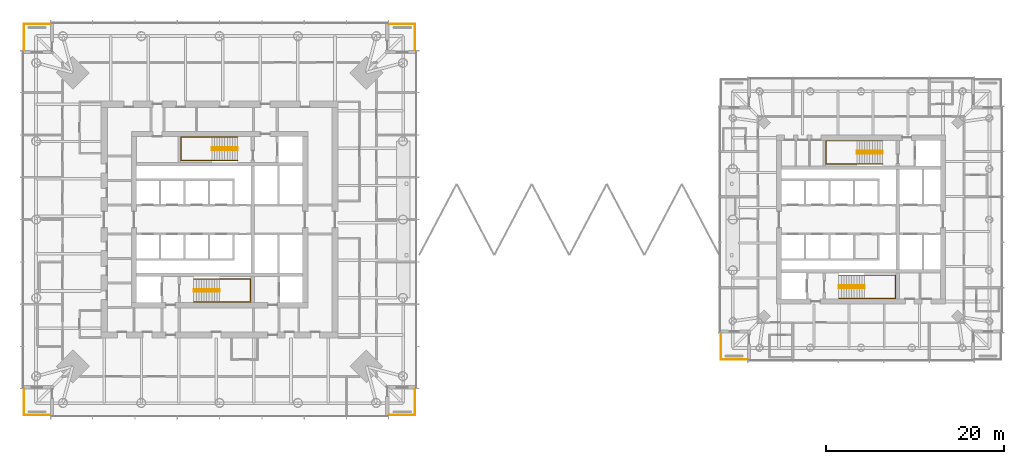
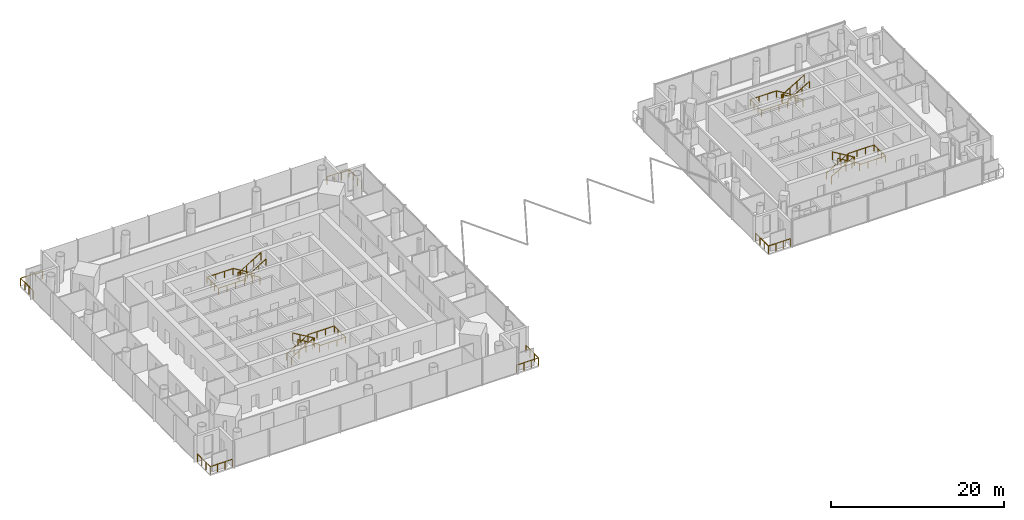
# One storey, part 18 of 19: 13 railings.
"""IFC4 building model written with IfcOpenShell, lengths in metres."""

from ifc_helpers import new_model, si_unit, direction, frame, origin, origin_2d, place, context, subcontext, project, spatial, circle, extrude, material, type_object, element, save


model = new_model("IFC4")

# Units and contexts
model_context = context("Model", 3, precision=1e-05, world=origin(), true_north=direction((0.0, 1.0)))
body_context = subcontext(model_context, "Body", "Model", "MODEL_VIEW")
ifc_project = project(units=[si_unit("LENGTHUNIT", "METRE"), si_unit("AREAUNIT", "SQUARE_METRE"), si_unit("VOLUMEUNIT", "CUBIC_METRE"), si_unit("PLANEANGLEUNIT", "RADIAN"), si_unit("MASSUNIT", "GRAM", prefix="KILO")], contexts=[model_context])

# Site, building, storey
site_placement = place(None, origin())
site = spatial("IfcSite", under=ifc_project, at=site_placement, CompositionType="ELEMENT")
building_placement = place(site_placement, origin())
building = spatial("IfcBuilding", under=site, at=building_placement, Name="Ostroluk Exchange", CompositionType="ELEMENT")
storey_placement = place(building_placement, frame((0.0, 0.0, 127.39990234375)))
storey = spatial("IfcBuildingStorey", under=building, at=storey_placement, Name="L32", CompositionType="ELEMENT", Elevation=127.39990234375)

# Railings
ifc_material_1 = material(Name="Stainless steel", Category="steel")
railing_type_1 = type_object("IfcRailingType", Name="Guard 1100 stainless steel", PredefinedType="GUARDRAIL", material=ifc_material_1)
railing_1_placement = place(storey_placement, frame((64.0, 24.050048828125, 0.0)))
element("IfcRailing", 1, at=railing_1_placement, inside=storey, type_object=railing_type_1, Name="Office tower SE balcony guard L32", PredefinedType="GUARDRAIL", context=body_context, shape_type="SweptSolid", body=[
    extrude(circle(Radius=0.02392578125, at=origin_2d()), frame((0.0, 0.0, 1.076171875), z_axis=(1.0, 0.0, 0.0), x_axis=(0.0, 1.0, 0.0)), (0.0, 0.0, 1.0), 2.949951171875),
    extrude(circle(Radius=0.02392578125, at=origin_2d()), frame((2.949951171875, 0.0, 1.076171875), z_axis=(0.0, 1.0, 0.0), x_axis=(-1.0, 0.0, 0.0)), (0.0, 0.0, 1.0), 2.949951171875),
    extrude(circle(Radius=0.02099609375, at=origin_2d()), origin(), (0.0, 0.0, 1.0), 1.052001953125),
    extrude(circle(Radius=0.02099609375, at=origin_2d()), frame((0.9833984375, 0.0, 0.0)), (0.0, 0.0, 1.0), 1.052001953125),
    extrude(circle(Radius=0.02099609375, at=origin_2d()), frame((1.966552734375, 0.0, 0.0)), (0.0, 0.0, 1.0), 1.052001953125),
    extrude(circle(Radius=0.02099609375, at=origin_2d()), frame((2.949951171875, 0.0, 0.0)), (0.0, 0.0, 1.0), 1.052001953125),
    extrude(circle(Radius=0.02099609375, at=origin_2d()), frame((2.949951171875, 0.9833984375, 0.0)), (0.0, 0.0, 1.0), 1.052001953125),
    extrude(circle(Radius=0.02099609375, at=origin_2d()), frame((2.949951171875, 1.966552734375, 0.0)), (0.0, 0.0, 1.0), 1.052001953125),
    extrude(circle(Radius=0.02099609375, at=origin_2d()), frame((2.949951171875, 2.949951171875, 0.0)), (0.0, 0.0, 1.0), 1.052001953125),
])
railing_2_placement = place(storey_placement, frame((64.0, 67.949951171875, 0.0)))
element("IfcRailing", 2, at=railing_2_placement, inside=storey, type_object=railing_type_1, Name="Office tower NE balcony guard L32", PredefinedType="GUARDRAIL", context=body_context, shape_type="SweptSolid", body=[
    extrude(circle(Radius=0.02392578125, at=origin_2d()), frame((0.0, 0.0, 1.076171875), z_axis=(1.0, 0.0, 0.0), x_axis=(0.0, 1.0, 0.0)), (0.0, 0.0, 1.0), 2.949951171875),
    extrude(circle(Radius=0.02392578125, at=origin_2d()), frame((2.949951171875, 0.0, 1.076171875), z_axis=(0.0, -1.0, 0.0), x_axis=(1.0, 0.0, 0.0)), (0.0, 0.0, 1.0), 2.949951171875),
    extrude(circle(Radius=0.02099609375, at=origin_2d()), origin(), (0.0, 0.0, 1.0), 1.052001953125),
    extrude(circle(Radius=0.02099609375, at=origin_2d()), frame((0.9833984375, 0.0, 0.0)), (0.0, 0.0, 1.0), 1.052001953125),
    extrude(circle(Radius=0.02099609375, at=origin_2d()), frame((1.966552734375, 0.0, 0.0)), (0.0, 0.0, 1.0), 1.052001953125),
    extrude(circle(Radius=0.02099609375, at=origin_2d()), frame((2.949951171875, 0.0, 0.0)), (0.0, 0.0, 1.0), 1.052001953125),
    extrude(circle(Radius=0.02099609375, at=origin_2d()), frame((2.949951171875, -0.9833984375, 0.0)), (0.0, 0.0, 1.0), 1.052001953125),
    extrude(circle(Radius=0.02099609375, at=origin_2d()), frame((2.949951171875, -1.966552734375, 0.0)), (0.0, 0.0, 1.0), 1.052001953125),
    extrude(circle(Radius=0.02099609375, at=origin_2d()), frame((2.949951171875, -2.949951171875, 0.0)), (0.0, 0.0, 1.0), 1.052001953125),
])
railing_3_placement = place(storey_placement, frame((26.0, 67.949951171875, 0.0)))
element("IfcRailing", 3, at=railing_3_placement, inside=storey, type_object=railing_type_1, Name="Office tower NW balcony guard L32", PredefinedType="GUARDRAIL", context=body_context, shape_type="SweptSolid", body=[
    extrude(circle(Radius=0.02392578125, at=origin_2d()), frame((0.0, 0.0, 1.076171875), z_axis=(-1.0, 0.0, 0.0), x_axis=(0.0, -1.0, 0.0)), (0.0, 0.0, 1.0), 2.949951171875),
    extrude(circle(Radius=0.02392578125, at=origin_2d()), frame((-2.949951171875, 0.0, 1.076171875), z_axis=(0.0, -1.0, 0.0), x_axis=(1.0, 0.0, 0.0)), (0.0, 0.0, 1.0), 2.949951171875),
    extrude(circle(Radius=0.02099609375, at=origin_2d()), origin(), (0.0, 0.0, 1.0), 1.052001953125),
    extrude(circle(Radius=0.02099609375, at=origin_2d()), frame((-0.9833984375, 0.0, 0.0)), (0.0, 0.0, 1.0), 1.052001953125),
    extrude(circle(Radius=0.02099609375, at=origin_2d()), frame((-1.966552734375, 0.0, 0.0)), (0.0, 0.0, 1.0), 1.052001953125),
    extrude(circle(Radius=0.02099609375, at=origin_2d()), frame((-2.949951171875, 0.0, 0.0)), (0.0, 0.0, 1.0), 1.052001953125),
    extrude(circle(Radius=0.02099609375, at=origin_2d()), frame((-2.949951171875, -0.9833984375, 0.0)), (0.0, 0.0, 1.0), 1.052001953125),
    extrude(circle(Radius=0.02099609375, at=origin_2d()), frame((-2.949951171875, -1.966552734375, 0.0)), (0.0, 0.0, 1.0), 1.052001953125),
    extrude(circle(Radius=0.02099609375, at=origin_2d()), frame((-2.949951171875, -2.949951171875, 0.0)), (0.0, 0.0, 1.0), 1.052001953125),
])
for number, where, name in (
    (4, (26.0, 24.050048828125, 0.0), "Office tower SW balcony guard L32"),
    (5, (104.25, 30.300048828125, 0.0), "Hotel tower SW balcony guard L32"),
):
    element("IfcRailing", number, at=place(storey_placement, frame(where)), inside=storey, type_object=railing_type_1, Name=name, PredefinedType="GUARDRAIL", context=body_context, shape_type="SweptSolid", body=[
        extrude(circle(Radius=0.02392578125, at=origin_2d()), frame((0.0, 0.0, 1.076171875), z_axis=(-1.0, 0.0, 0.0), x_axis=(0.0, -1.0, 0.0)), (0.0, 0.0, 1.0), 2.949951171875),
        extrude(circle(Radius=0.02392578125, at=origin_2d()), frame((-2.949951171875, 0.0, 1.076171875), z_axis=(0.0, 1.0, 0.0), x_axis=(-1.0, 0.0, 0.0)), (0.0, 0.0, 1.0), 2.949951171875),
        extrude(circle(Radius=0.02099609375, at=origin_2d()), origin(), (0.0, 0.0, 1.0), 1.052001953125),
        extrude(circle(Radius=0.02099609375, at=origin_2d()), frame((-0.9833984375, 0.0, 0.0)), (0.0, 0.0, 1.0), 1.052001953125),
        extrude(circle(Radius=0.02099609375, at=origin_2d()), frame((-1.966552734375, 0.0, 0.0)), (0.0, 0.0, 1.0), 1.052001953125),
        extrude(circle(Radius=0.02099609375, at=origin_2d()), frame((-2.949951171875, 0.0, 0.0)), (0.0, 0.0, 1.0), 1.052001953125),
        extrude(circle(Radius=0.02099609375, at=origin_2d()), frame((-2.949951171875, 0.9833984375, 0.0)), (0.0, 0.0, 1.0), 1.052001953125),
        extrude(circle(Radius=0.02099609375, at=origin_2d()), frame((-2.949951171875, 1.966552734375, 0.0)), (0.0, 0.0, 1.0), 1.052001953125),
        extrude(circle(Radius=0.02099609375, at=origin_2d()), frame((-2.949951171875, 2.949951171875, 0.0)), (0.0, 0.0, 1.0), 1.052001953125),
    ])
ifc_material_2 = material(Name="Steel S355", Category="steel")
railing_type_2 = type_object("IfcRailingType", Name="Stair guard 1100", PredefinedType="GUARDRAIL", material=ifc_material_2)
railing_4_placement = place(storey_placement, frame((42.10009765625, 38.179931640625, 0.1728515625)))
element("IfcRailing", 6, at=railing_4_placement, inside=storey, type_object=railing_type_2, Name="Stair T1-S1 guard L32", PredefinedType="GUARDRAIL", context=body_context, shape_type="SweptSolid", body=[
    extrude(circle(Radius=0.02392578125, at=origin_2d()), frame((0.0, 0.0, 1.076171875), z_axis=(0.859141464434, 0.0, 0.511738159696), x_axis=(0.0, 1.0, 0.0)), (0.0, 0.0, 1.0), 3.375244140625),
    extrude(circle(Radius=0.02392578125, at=origin_2d()), frame((2.89990234375, 0.0, 2.80322265625), z_axis=(0.0, -1.0, 0.0), x_axis=(1.0, 0.0, 0.0)), (0.0, 0.0, 1.0), 0.260009765625),
    extrude(circle(Radius=0.02392578125, at=origin_2d()), frame((2.89990234375, -0.260009765625, 2.80322265625), z_axis=(0.0, 0.0, 1.0), x_axis=(1.0, 0.0, 0.0)), (0.0, 0.0, 1.0), 0.172607421875),
    extrude(circle(Radius=0.02392578125, at=origin_2d()), frame((2.89990234375, -0.260009765625, 2.97607421875), z_axis=(-0.859141464434, 0.0, 0.511738159696), x_axis=(0.0, -1.0, 0.0)), (0.0, 0.0, 1.0), 3.375244140625),
    extrude(circle(Radius=0.02099609375, at=origin_2d()), origin(), (0.0, 0.0, 1.0), 1.052001953125),
    extrude(circle(Radius=0.02099609375, at=origin_2d()), frame((0.966552734375, 0.0, 0.57568359375)), (0.0, 0.0, 1.0), 1.052001953125),
    extrude(circle(Radius=0.02099609375, at=origin_2d()), frame((1.933349609375, 0.0, 1.151611328125)), (0.0, 0.0, 1.0), 1.052001953125),
    extrude(circle(Radius=0.02099609375, at=origin_2d()), frame((2.89990234375, 0.0, 1.727294921875)), (0.0, 0.0, 1.0), 1.052001953125),
    extrude(circle(Radius=0.02099609375, at=origin_2d()), frame((2.89990234375, -0.260009765625, 1.727294921875)), (0.0, 0.0, 1.0), 1.052001953125),
    extrude(circle(Radius=0.02099609375, at=origin_2d()), frame((2.89990234375, -0.260009765625, 1.89990234375)), (0.0, 0.0, 1.0), 1.052001953125),
    extrude(circle(Radius=0.02099609375, at=origin_2d()), frame((1.933349609375, -0.260009765625, 2.4755859375)), (0.0, 0.0, 1.0), 1.052001953125),
    extrude(circle(Radius=0.02099609375, at=origin_2d()), frame((0.966552734375, -0.260009765625, 3.051513671875)), (0.0, 0.0, 1.0), 1.052001953125),
    extrude(circle(Radius=0.02099609375, at=origin_2d()), frame((0.0, -0.260009765625, 3.627197265625)), (0.0, 0.0, 1.0), 1.052001953125),
])
railing_5_placement = place(storey_placement, frame((47.030029296875, 54.080078125, 0.1728515625)))
element("IfcRailing", 7, at=railing_5_placement, inside=storey, type_object=railing_type_2, Name="Stair T1-S2 guard L32", PredefinedType="GUARDRAIL", context=body_context, shape_type="SweptSolid", body=[
    extrude(circle(Radius=0.02392578125, at=origin_2d()), frame((0.0, 0.0, 1.076171875), z_axis=(-0.859160404282, 0.0, 0.51170636083), x_axis=(0.0, -1.0, 0.0)), (0.0, 0.0, 1.0), 3.37548828125),
    extrude(circle(Radius=0.02392578125, at=origin_2d()), frame((-2.900146484375, 0.0, 2.80322265625), z_axis=(0.0, -1.0, 0.0), x_axis=(1.0, 0.0, 0.0)), (0.0, 0.0, 1.0), 0.260009765625),
    extrude(circle(Radius=0.02392578125, at=origin_2d()), frame((-2.900146484375, -0.260009765625, 2.80322265625), z_axis=(0.0, 0.0, 1.0), x_axis=(1.0, 0.0, 0.0)), (0.0, 0.0, 1.0), 0.172607421875),
    extrude(circle(Radius=0.02392578125, at=origin_2d()), frame((-2.900146484375, -0.260009765625, 2.97607421875), z_axis=(0.859160404282, 0.0, 0.51170636083), x_axis=(0.0, 1.0, 0.0)), (0.0, 0.0, 1.0), 3.37548828125),
    extrude(circle(Radius=0.02099609375, at=origin_2d()), origin(), (0.0, 0.0, 1.0), 1.052001953125),
    extrude(circle(Radius=0.02099609375, at=origin_2d()), frame((-0.966796875, 0.0, 0.57568359375)), (0.0, 0.0, 1.0), 1.052001953125),
    extrude(circle(Radius=0.02099609375, at=origin_2d()), frame((-1.933349609375, 0.0, 1.151611328125)), (0.0, 0.0, 1.0), 1.052001953125),
    extrude(circle(Radius=0.02099609375, at=origin_2d()), frame((-2.900146484375, 0.0, 1.727294921875)), (0.0, 0.0, 1.0), 1.052001953125),
    extrude(circle(Radius=0.02099609375, at=origin_2d()), frame((-2.900146484375, -0.260009765625, 1.727294921875)), (0.0, 0.0, 1.0), 1.052001953125),
    extrude(circle(Radius=0.02099609375, at=origin_2d()), frame((-2.900146484375, -0.260009765625, 1.89990234375)), (0.0, 0.0, 1.0), 1.052001953125),
    extrude(circle(Radius=0.02099609375, at=origin_2d()), frame((-1.933349609375, -0.260009765625, 2.4755859375)), (0.0, 0.0, 1.0), 1.052001953125),
    extrude(circle(Radius=0.02099609375, at=origin_2d()), frame((-0.966796875, -0.260009765625, 3.051513671875)), (0.0, 0.0, 1.0), 1.052001953125),
    extrude(circle(Radius=0.02099609375, at=origin_2d()), frame((0.0, -0.260009765625, 3.627197265625)), (0.0, 0.0, 1.0), 1.052001953125),
])
railing_6_placement = place(storey_placement, frame((114.5, 38.580078125, 0.1728515625)))
element("IfcRailing", 8, at=railing_6_placement, inside=storey, type_object=railing_type_2, Name="Stair T2-S1 guard L32", PredefinedType="GUARDRAIL", context=body_context, shape_type="SweptSolid", body=[
    extrude(circle(Radius=0.02392578125, at=origin_2d()), frame((0.0, 0.0, 1.076171875), z_axis=(0.859141464434, 0.0, 0.511738159696), x_axis=(0.0, 1.0, 0.0)), (0.0, 0.0, 1.0), 3.375244140625),
    extrude(circle(Radius=0.02392578125, at=origin_2d()), frame((2.89990234375, 0.0, 2.80322265625), z_axis=(0.0, -1.0, 0.0), x_axis=(1.0, 0.0, 0.0)), (0.0, 0.0, 1.0), 0.260009765625),
    extrude(circle(Radius=0.02392578125, at=origin_2d()), frame((2.89990234375, -0.260009765625, 2.80322265625), z_axis=(0.0, 0.0, 1.0), x_axis=(1.0, 0.0, 0.0)), (0.0, 0.0, 1.0), 0.172607421875),
    extrude(circle(Radius=0.02392578125, at=origin_2d()), frame((2.89990234375, -0.260009765625, 2.97607421875), z_axis=(-0.859141464434, 0.0, 0.511738159696), x_axis=(0.0, -1.0, 0.0)), (0.0, 0.0, 1.0), 3.375244140625),
    extrude(circle(Radius=0.02099609375, at=origin_2d()), origin(), (0.0, 0.0, 1.0), 1.052001953125),
    extrude(circle(Radius=0.02099609375, at=origin_2d()), frame((0.966552734375, 0.0, 0.57568359375)), (0.0, 0.0, 1.0), 1.052001953125),
    extrude(circle(Radius=0.02099609375, at=origin_2d()), frame((1.933349609375, 0.0, 1.151611328125)), (0.0, 0.0, 1.0), 1.052001953125),
    extrude(circle(Radius=0.02099609375, at=origin_2d()), frame((2.89990234375, 0.0, 1.727294921875)), (0.0, 0.0, 1.0), 1.052001953125),
    extrude(circle(Radius=0.02099609375, at=origin_2d()), frame((2.89990234375, -0.260009765625, 1.727294921875)), (0.0, 0.0, 1.0), 1.052001953125),
    extrude(circle(Radius=0.02099609375, at=origin_2d()), frame((2.89990234375, -0.260009765625, 1.89990234375)), (0.0, 0.0, 1.0), 1.052001953125),
    extrude(circle(Radius=0.02099609375, at=origin_2d()), frame((1.933349609375, -0.260009765625, 2.4755859375)), (0.0, 0.0, 1.0), 1.052001953125),
    extrude(circle(Radius=0.02099609375, at=origin_2d()), frame((0.966552734375, -0.260009765625, 3.051513671875)), (0.0, 0.0, 1.0), 1.052001953125),
    extrude(circle(Radius=0.02099609375, at=origin_2d()), frame((0.0, -0.260009765625, 3.627197265625)), (0.0, 0.0, 1.0), 1.052001953125),
])
railing_7_placement = place(storey_placement, frame((119.429931640625, 53.679931640625, 0.1728515625)))
element("IfcRailing", 9, at=railing_7_placement, inside=storey, type_object=railing_type_2, Name="Stair T2-S2 guard L32", PredefinedType="GUARDRAIL", context=body_context, shape_type="SweptSolid", body=[
    extrude(circle(Radius=0.02392578125, at=origin_2d()), frame((0.0, 0.0, 1.076171875), z_axis=(-0.859141464434, 0.0, 0.511738159696), x_axis=(0.0, -1.0, 0.0)), (0.0, 0.0, 1.0), 3.375244140625),
    extrude(circle(Radius=0.02392578125, at=origin_2d()), frame((-2.89990234375, 0.0, 2.80322265625), z_axis=(0.0, -1.0, 0.0), x_axis=(1.0, 0.0, 0.0)), (0.0, 0.0, 1.0), 0.260009765625),
    extrude(circle(Radius=0.02392578125, at=origin_2d()), frame((-2.89990234375, -0.260009765625, 2.80322265625), z_axis=(0.0, 0.0, 1.0), x_axis=(1.0, 0.0, 0.0)), (0.0, 0.0, 1.0), 0.172607421875),
    extrude(circle(Radius=0.02392578125, at=origin_2d()), frame((-2.89990234375, -0.260009765625, 2.97607421875), z_axis=(0.859141464434, 0.0, 0.511738159696), x_axis=(0.0, 1.0, 0.0)), (0.0, 0.0, 1.0), 3.375244140625),
    extrude(circle(Radius=0.02099609375, at=origin_2d()), origin(), (0.0, 0.0, 1.0), 1.052001953125),
    extrude(circle(Radius=0.02099609375, at=origin_2d()), frame((-0.966552734375, 0.0, 0.57568359375)), (0.0, 0.0, 1.0), 1.052001953125),
    extrude(circle(Radius=0.02099609375, at=origin_2d()), frame((-1.933349609375, 0.0, 1.151611328125)), (0.0, 0.0, 1.0), 1.052001953125),
    extrude(circle(Radius=0.02099609375, at=origin_2d()), frame((-2.89990234375, 0.0, 1.727294921875)), (0.0, 0.0, 1.0), 1.052001953125),
    extrude(circle(Radius=0.02099609375, at=origin_2d()), frame((-2.89990234375, -0.260009765625, 1.727294921875)), (0.0, 0.0, 1.0), 1.052001953125),
    extrude(circle(Radius=0.02099609375, at=origin_2d()), frame((-2.89990234375, -0.260009765625, 1.89990234375)), (0.0, 0.0, 1.0), 1.052001953125),
    extrude(circle(Radius=0.02099609375, at=origin_2d()), frame((-1.933349609375, -0.260009765625, 2.4755859375)), (0.0, 0.0, 1.0), 1.052001953125),
    extrude(circle(Radius=0.02099609375, at=origin_2d()), frame((-0.966552734375, -0.260009765625, 3.051513671875)), (0.0, 0.0, 1.0), 1.052001953125),
    extrude(circle(Radius=0.02099609375, at=origin_2d()), frame((0.0, -0.260009765625, 3.627197265625)), (0.0, 0.0, 1.0), 1.052001953125),
])
ifc_material_3 = material(Name="Stainless steel", Category="steel")
railing_type_3 = type_object("IfcRailingType", Name="Stair handrail 900", PredefinedType="HANDRAIL", material=ifc_material_3)
railing_8_placement = place(storey_placement, frame((42.10009765625, 39.35009765625, 0.1728515625)))
element("IfcRailing", 10, at=railing_8_placement, inside=storey, type_object=railing_type_3, Name="Stair T1-S1 handrail L32", PredefinedType="HANDRAIL", context=body_context, shape_type="SweptSolid", body=[
    extrude(circle(Radius=0.02392578125, at=origin_2d()), frame((0.0, 0.0, 0.8759765625), z_axis=(0.859141464434, 0.0, 0.511738159696), x_axis=(0.0, 1.0, 0.0)), (0.0, 0.0, 1.0), 3.375244140625),
    extrude(circle(Radius=0.02392578125, at=origin_2d()), frame((2.89990234375, 0.0, 2.60302734375), z_axis=(1.0, 0.0, 0.0), x_axis=(0.0, 1.0, 0.0)), (0.0, 0.0, 1.0), 3.47998046875),
    extrude(circle(Radius=0.02392578125, at=origin_2d()), frame((6.3798828125, 0.0, 2.60302734375), z_axis=(0.0, -1.0, 0.0), x_axis=(1.0, 0.0, 0.0)), (0.0, 0.0, 1.0), 2.60009765625),
    extrude(circle(Radius=0.02392578125, at=origin_2d()), frame((6.3798828125, -2.60009765625, 2.60302734375), z_axis=(-1.0, 0.0, 0.0), x_axis=(0.0, -1.0, 0.0)), (0.0, 0.0, 1.0), 3.47998046875),
    extrude(circle(Radius=0.02392578125, at=origin_2d()), frame((2.89990234375, -2.60009765625, 2.60302734375), z_axis=(0.0, 0.0, 1.0), x_axis=(1.0, 0.0, 0.0)), (0.0, 0.0, 1.0), 0.172607421875),
    extrude(circle(Radius=0.02392578125, at=origin_2d()), frame((2.89990234375, -2.60009765625, 2.77587890625), z_axis=(-0.859141464434, 0.0, 0.511738159696), x_axis=(0.0, -1.0, 0.0)), (0.0, 0.0, 1.0), 3.375244140625),
    extrude(circle(Radius=0.02099609375, at=origin_2d()), origin(), (0.0, 0.0, 1.0), 0.851806640625),
    extrude(circle(Radius=0.02099609375, at=origin_2d()), frame((0.966552734375, 0.0, 0.57568359375)), (0.0, 0.0, 1.0), 0.851806640625),
    extrude(circle(Radius=0.02099609375, at=origin_2d()), frame((1.933349609375, 0.0, 1.151611328125)), (0.0, 0.0, 1.0), 0.851806640625),
    extrude(circle(Radius=0.02099609375, at=origin_2d()), frame((2.89990234375, 0.0, 1.727294921875)), (0.0, 0.0, 1.0), 0.851806640625),
    extrude(circle(Radius=0.02099609375, at=origin_2d()), frame((4.059814453125, 0.0, 1.727294921875)), (0.0, 0.0, 1.0), 0.851806640625),
    extrude(circle(Radius=0.02099609375, at=origin_2d()), frame((5.219970703125, 0.0, 1.727294921875)), (0.0, 0.0, 1.0), 0.851806640625),
    extrude(circle(Radius=0.02099609375, at=origin_2d()), frame((6.3798828125, 0.0, 1.727294921875)), (0.0, 0.0, 1.0), 0.851806640625),
    extrude(circle(Radius=0.02099609375, at=origin_2d()), frame((6.3798828125, -0.86669921875, 1.727294921875)), (0.0, 0.0, 1.0), 0.851806640625),
    extrude(circle(Radius=0.02099609375, at=origin_2d()), frame((6.3798828125, -1.7333984375, 1.727294921875)), (0.0, 0.0, 1.0), 0.851806640625),
    extrude(circle(Radius=0.02099609375, at=origin_2d()), frame((6.3798828125, -2.60009765625, 1.727294921875)), (0.0, 0.0, 1.0), 0.851806640625),
    extrude(circle(Radius=0.02099609375, at=origin_2d()), frame((5.219970703125, -2.60009765625, 1.727294921875)), (0.0, 0.0, 1.0), 0.851806640625),
    extrude(circle(Radius=0.02099609375, at=origin_2d()), frame((4.059814453125, -2.60009765625, 1.727294921875)), (0.0, 0.0, 1.0), 0.851806640625),
    extrude(circle(Radius=0.02099609375, at=origin_2d()), frame((2.89990234375, -2.60009765625, 1.727294921875)), (0.0, 0.0, 1.0), 0.851806640625),
    extrude(circle(Radius=0.02099609375, at=origin_2d()), frame((2.89990234375, -2.60009765625, 1.89990234375)), (0.0, 0.0, 1.0), 0.851806640625),
    extrude(circle(Radius=0.02099609375, at=origin_2d()), frame((1.933349609375, -2.60009765625, 2.4755859375)), (0.0, 0.0, 1.0), 0.851806640625),
    extrude(circle(Radius=0.02099609375, at=origin_2d()), frame((0.966552734375, -2.60009765625, 3.051513671875)), (0.0, 0.0, 1.0), 0.851806640625),
    extrude(circle(Radius=0.02099609375, at=origin_2d()), frame((0.0, -2.60009765625, 3.627197265625)), (0.0, 0.0, 1.0), 0.851806640625),
])
railing_9_placement = place(storey_placement, frame((47.030029296875, 55.25, 0.1728515625)))
element("IfcRailing", 11, at=railing_9_placement, inside=storey, type_object=railing_type_3, Name="Stair T1-S2 handrail L32", PredefinedType="HANDRAIL", context=body_context, shape_type="SweptSolid", body=[
    extrude(circle(Radius=0.02392578125, at=origin_2d()), frame((0.0, 0.0, 0.8759765625), z_axis=(-0.859160404282, 0.0, 0.51170636083), x_axis=(0.0, -1.0, 0.0)), (0.0, 0.0, 1.0), 3.37548828125),
    extrude(circle(Radius=0.02392578125, at=origin_2d()), frame((-2.900146484375, 0.0, 2.60302734375), z_axis=(-1.0, 0.0, 0.0), x_axis=(0.0, -1.0, 0.0)), (0.0, 0.0, 1.0), 3.47998046875),
    extrude(circle(Radius=0.02392578125, at=origin_2d()), frame((-6.380126953125, 0.0, 2.60302734375), z_axis=(0.0, -1.0, 0.0), x_axis=(1.0, 0.0, 0.0)), (0.0, 0.0, 1.0), 2.60009765625),
    extrude(circle(Radius=0.02392578125, at=origin_2d()), frame((-6.380126953125, -2.60009765625, 2.60302734375), z_axis=(1.0, 0.0, 0.0), x_axis=(0.0, 1.0, 0.0)), (0.0, 0.0, 1.0), 3.47998046875),
    extrude(circle(Radius=0.02392578125, at=origin_2d()), frame((-2.900146484375, -2.60009765625, 2.60302734375), z_axis=(0.0, 0.0, 1.0), x_axis=(1.0, 0.0, 0.0)), (0.0, 0.0, 1.0), 0.172607421875),
    extrude(circle(Radius=0.02392578125, at=origin_2d()), frame((-2.900146484375, -2.60009765625, 2.77587890625), z_axis=(0.859160404282, 0.0, 0.51170636083), x_axis=(0.0, 1.0, 0.0)), (0.0, 0.0, 1.0), 3.37548828125),
    extrude(circle(Radius=0.02099609375, at=origin_2d()), origin(), (0.0, 0.0, 1.0), 0.851806640625),
    extrude(circle(Radius=0.02099609375, at=origin_2d()), frame((-0.966796875, 0.0, 0.57568359375)), (0.0, 0.0, 1.0), 0.851806640625),
    extrude(circle(Radius=0.02099609375, at=origin_2d()), frame((-1.933349609375, 0.0, 1.151611328125)), (0.0, 0.0, 1.0), 0.851806640625),
    extrude(circle(Radius=0.02099609375, at=origin_2d()), frame((-2.900146484375, 0.0, 1.727294921875)), (0.0, 0.0, 1.0), 0.851806640625),
    extrude(circle(Radius=0.02099609375, at=origin_2d()), frame((-4.06005859375, 0.0, 1.727294921875)), (0.0, 0.0, 1.0), 0.851806640625),
    extrude(circle(Radius=0.02099609375, at=origin_2d()), frame((-5.22021484375, 0.0, 1.727294921875)), (0.0, 0.0, 1.0), 0.851806640625),
    extrude(circle(Radius=0.02099609375, at=origin_2d()), frame((-6.380126953125, 0.0, 1.727294921875)), (0.0, 0.0, 1.0), 0.851806640625),
    extrude(circle(Radius=0.02099609375, at=origin_2d()), frame((-6.380126953125, -0.86669921875, 1.727294921875)), (0.0, 0.0, 1.0), 0.851806640625),
    extrude(circle(Radius=0.02099609375, at=origin_2d()), frame((-6.380126953125, -1.7333984375, 1.727294921875)), (0.0, 0.0, 1.0), 0.851806640625),
    extrude(circle(Radius=0.02099609375, at=origin_2d()), frame((-6.380126953125, -2.60009765625, 1.727294921875)), (0.0, 0.0, 1.0), 0.851806640625),
    extrude(circle(Radius=0.02099609375, at=origin_2d()), frame((-5.22021484375, -2.60009765625, 1.727294921875)), (0.0, 0.0, 1.0), 0.851806640625),
    extrude(circle(Radius=0.02099609375, at=origin_2d()), frame((-4.06005859375, -2.60009765625, 1.727294921875)), (0.0, 0.0, 1.0), 0.851806640625),
    extrude(circle(Radius=0.02099609375, at=origin_2d()), frame((-2.900146484375, -2.60009765625, 1.727294921875)), (0.0, 0.0, 1.0), 0.851806640625),
    extrude(circle(Radius=0.02099609375, at=origin_2d()), frame((-2.900146484375, -2.60009765625, 1.89990234375)), (0.0, 0.0, 1.0), 0.851806640625),
    extrude(circle(Radius=0.02099609375, at=origin_2d()), frame((-1.933349609375, -2.60009765625, 2.4755859375)), (0.0, 0.0, 1.0), 0.851806640625),
    extrude(circle(Radius=0.02099609375, at=origin_2d()), frame((-0.966796875, -2.60009765625, 3.051513671875)), (0.0, 0.0, 1.0), 0.851806640625),
    extrude(circle(Radius=0.02099609375, at=origin_2d()), frame((0.0, -2.60009765625, 3.627197265625)), (0.0, 0.0, 1.0), 0.851806640625),
])
railing_10_placement = place(storey_placement, frame((114.5, 39.75, 0.1728515625)))
element("IfcRailing", 12, at=railing_10_placement, inside=storey, type_object=railing_type_3, Name="Stair T2-S1 handrail L32", PredefinedType="HANDRAIL", context=body_context, shape_type="SweptSolid", body=[
    extrude(circle(Radius=0.02392578125, at=origin_2d()), frame((0.0, 0.0, 0.8759765625), z_axis=(0.859141464434, 0.0, 0.511738159696), x_axis=(0.0, 1.0, 0.0)), (0.0, 0.0, 1.0), 3.375244140625),
    extrude(circle(Radius=0.02392578125, at=origin_2d()), frame((2.89990234375, 0.0, 2.60302734375), z_axis=(1.0, 0.0, 0.0), x_axis=(0.0, 1.0, 0.0)), (0.0, 0.0, 1.0), 3.47998046875),
    extrude(circle(Radius=0.02392578125, at=origin_2d()), frame((6.3798828125, 0.0, 2.60302734375), z_axis=(0.0, -1.0, 0.0), x_axis=(1.0, 0.0, 0.0)), (0.0, 0.0, 1.0), 2.60009765625),
    extrude(circle(Radius=0.02392578125, at=origin_2d()), frame((6.3798828125, -2.60009765625, 2.60302734375), z_axis=(-1.0, 0.0, 0.0), x_axis=(0.0, -1.0, 0.0)), (0.0, 0.0, 1.0), 3.47998046875),
    extrude(circle(Radius=0.02392578125, at=origin_2d()), frame((2.89990234375, -2.60009765625, 2.60302734375), z_axis=(0.0, 0.0, 1.0), x_axis=(1.0, 0.0, 0.0)), (0.0, 0.0, 1.0), 0.172607421875),
    extrude(circle(Radius=0.02392578125, at=origin_2d()), frame((2.89990234375, -2.60009765625, 2.77587890625), z_axis=(-0.859141464434, 0.0, 0.511738159696), x_axis=(0.0, -1.0, 0.0)), (0.0, 0.0, 1.0), 3.375244140625),
    extrude(circle(Radius=0.02099609375, at=origin_2d()), origin(), (0.0, 0.0, 1.0), 0.851806640625),
    extrude(circle(Radius=0.02099609375, at=origin_2d()), frame((0.966552734375, 0.0, 0.57568359375)), (0.0, 0.0, 1.0), 0.851806640625),
    extrude(circle(Radius=0.02099609375, at=origin_2d()), frame((1.933349609375, 0.0, 1.151611328125)), (0.0, 0.0, 1.0), 0.851806640625),
    extrude(circle(Radius=0.02099609375, at=origin_2d()), frame((2.89990234375, 0.0, 1.727294921875)), (0.0, 0.0, 1.0), 0.851806640625),
    extrude(circle(Radius=0.02099609375, at=origin_2d()), frame((4.059814453125, 0.0, 1.727294921875)), (0.0, 0.0, 1.0), 0.851806640625),
    extrude(circle(Radius=0.02099609375, at=origin_2d()), frame((5.219970703125, 0.0, 1.727294921875)), (0.0, 0.0, 1.0), 0.851806640625),
    extrude(circle(Radius=0.02099609375, at=origin_2d()), frame((6.3798828125, 0.0, 1.727294921875)), (0.0, 0.0, 1.0), 0.851806640625),
    extrude(circle(Radius=0.02099609375, at=origin_2d()), frame((6.3798828125, -0.86669921875, 1.727294921875)), (0.0, 0.0, 1.0), 0.851806640625),
    extrude(circle(Radius=0.02099609375, at=origin_2d()), frame((6.3798828125, -1.7333984375, 1.727294921875)), (0.0, 0.0, 1.0), 0.851806640625),
    extrude(circle(Radius=0.02099609375, at=origin_2d()), frame((6.3798828125, -2.60009765625, 1.727294921875)), (0.0, 0.0, 1.0), 0.851806640625),
    extrude(circle(Radius=0.02099609375, at=origin_2d()), frame((5.219970703125, -2.60009765625, 1.727294921875)), (0.0, 0.0, 1.0), 0.851806640625),
    extrude(circle(Radius=0.02099609375, at=origin_2d()), frame((4.059814453125, -2.60009765625, 1.727294921875)), (0.0, 0.0, 1.0), 0.851806640625),
    extrude(circle(Radius=0.02099609375, at=origin_2d()), frame((2.89990234375, -2.60009765625, 1.727294921875)), (0.0, 0.0, 1.0), 0.851806640625),
    extrude(circle(Radius=0.02099609375, at=origin_2d()), frame((2.89990234375, -2.60009765625, 1.89990234375)), (0.0, 0.0, 1.0), 0.851806640625),
    extrude(circle(Radius=0.02099609375, at=origin_2d()), frame((1.933349609375, -2.60009765625, 2.4755859375)), (0.0, 0.0, 1.0), 0.851806640625),
    extrude(circle(Radius=0.02099609375, at=origin_2d()), frame((0.966552734375, -2.60009765625, 3.051513671875)), (0.0, 0.0, 1.0), 0.851806640625),
    extrude(circle(Radius=0.02099609375, at=origin_2d()), frame((0.0, -2.60009765625, 3.627197265625)), (0.0, 0.0, 1.0), 0.851806640625),
])
railing_11_placement = place(storey_placement, frame((119.429931640625, 54.85009765625, 0.1728515625)))
element("IfcRailing", 13, at=railing_11_placement, inside=storey, type_object=railing_type_3, Name="Stair T2-S2 handrail L32", PredefinedType="HANDRAIL", context=body_context, shape_type="SweptSolid", body=[
    extrude(circle(Radius=0.02392578125, at=origin_2d()), frame((0.0, 0.0, 0.8759765625), z_axis=(-0.859141464434, 0.0, 0.511738159696), x_axis=(0.0, -1.0, 0.0)), (0.0, 0.0, 1.0), 3.375244140625),
    extrude(circle(Radius=0.02392578125, at=origin_2d()), frame((-2.89990234375, 0.0, 2.60302734375), z_axis=(-1.0, 0.0, 0.0), x_axis=(0.0, -1.0, 0.0)), (0.0, 0.0, 1.0), 3.47998046875),
    extrude(circle(Radius=0.02392578125, at=origin_2d()), frame((-6.3798828125, 0.0, 2.60302734375), z_axis=(0.0, -1.0, 0.0), x_axis=(1.0, 0.0, 0.0)), (0.0, 0.0, 1.0), 2.60009765625),
    extrude(circle(Radius=0.02392578125, at=origin_2d()), frame((-6.3798828125, -2.60009765625, 2.60302734375), z_axis=(1.0, 0.0, 0.0), x_axis=(0.0, 1.0, 0.0)), (0.0, 0.0, 1.0), 3.47998046875),
    extrude(circle(Radius=0.02392578125, at=origin_2d()), frame((-2.89990234375, -2.60009765625, 2.60302734375), z_axis=(0.0, 0.0, 1.0), x_axis=(1.0, 0.0, 0.0)), (0.0, 0.0, 1.0), 0.172607421875),
    extrude(circle(Radius=0.02392578125, at=origin_2d()), frame((-2.89990234375, -2.60009765625, 2.77587890625), z_axis=(0.859141464434, 0.0, 0.511738159696), x_axis=(0.0, 1.0, 0.0)), (0.0, 0.0, 1.0), 3.375244140625),
    extrude(circle(Radius=0.02099609375, at=origin_2d()), origin(), (0.0, 0.0, 1.0), 0.851806640625),
    extrude(circle(Radius=0.02099609375, at=origin_2d()), frame((-0.966552734375, 0.0, 0.57568359375)), (0.0, 0.0, 1.0), 0.851806640625),
    extrude(circle(Radius=0.02099609375, at=origin_2d()), frame((-1.933349609375, 0.0, 1.151611328125)), (0.0, 0.0, 1.0), 0.851806640625),
    extrude(circle(Radius=0.02099609375, at=origin_2d()), frame((-2.89990234375, 0.0, 1.727294921875)), (0.0, 0.0, 1.0), 0.851806640625),
    extrude(circle(Radius=0.02099609375, at=origin_2d()), frame((-4.059814453125, 0.0, 1.727294921875)), (0.0, 0.0, 1.0), 0.851806640625),
    extrude(circle(Radius=0.02099609375, at=origin_2d()), frame((-5.219970703125, 0.0, 1.727294921875)), (0.0, 0.0, 1.0), 0.851806640625),
    extrude(circle(Radius=0.02099609375, at=origin_2d()), frame((-6.3798828125, 0.0, 1.727294921875)), (0.0, 0.0, 1.0), 0.851806640625),
    extrude(circle(Radius=0.02099609375, at=origin_2d()), frame((-6.3798828125, -0.86669921875, 1.727294921875)), (0.0, 0.0, 1.0), 0.851806640625),
    extrude(circle(Radius=0.02099609375, at=origin_2d()), frame((-6.3798828125, -1.7333984375, 1.727294921875)), (0.0, 0.0, 1.0), 0.851806640625),
    extrude(circle(Radius=0.02099609375, at=origin_2d()), frame((-6.3798828125, -2.60009765625, 1.727294921875)), (0.0, 0.0, 1.0), 0.851806640625),
    extrude(circle(Radius=0.02099609375, at=origin_2d()), frame((-5.219970703125, -2.60009765625, 1.727294921875)), (0.0, 0.0, 1.0), 0.851806640625),
    extrude(circle(Radius=0.02099609375, at=origin_2d()), frame((-4.059814453125, -2.60009765625, 1.727294921875)), (0.0, 0.0, 1.0), 0.851806640625),
    extrude(circle(Radius=0.02099609375, at=origin_2d()), frame((-2.89990234375, -2.60009765625, 1.727294921875)), (0.0, 0.0, 1.0), 0.851806640625),
    extrude(circle(Radius=0.02099609375, at=origin_2d()), frame((-2.89990234375, -2.60009765625, 1.89990234375)), (0.0, 0.0, 1.0), 0.851806640625),
    extrude(circle(Radius=0.02099609375, at=origin_2d()), frame((-1.933349609375, -2.60009765625, 2.4755859375)), (0.0, 0.0, 1.0), 0.851806640625),
    extrude(circle(Radius=0.02099609375, at=origin_2d()), frame((-0.966552734375, -2.60009765625, 3.051513671875)), (0.0, 0.0, 1.0), 0.851806640625),
    extrude(circle(Radius=0.02099609375, at=origin_2d()), frame((0.0, -2.60009765625, 3.627197265625)), (0.0, 0.0, 1.0), 0.851806640625),
])

save(model, "model.ifc")
